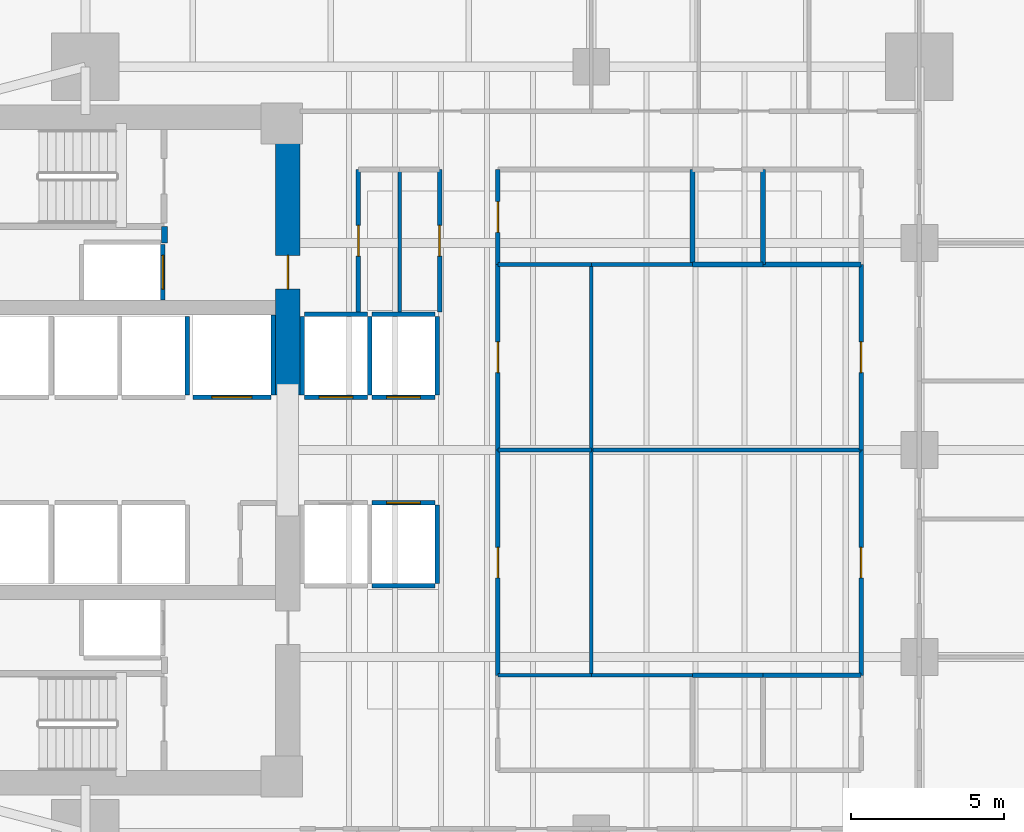
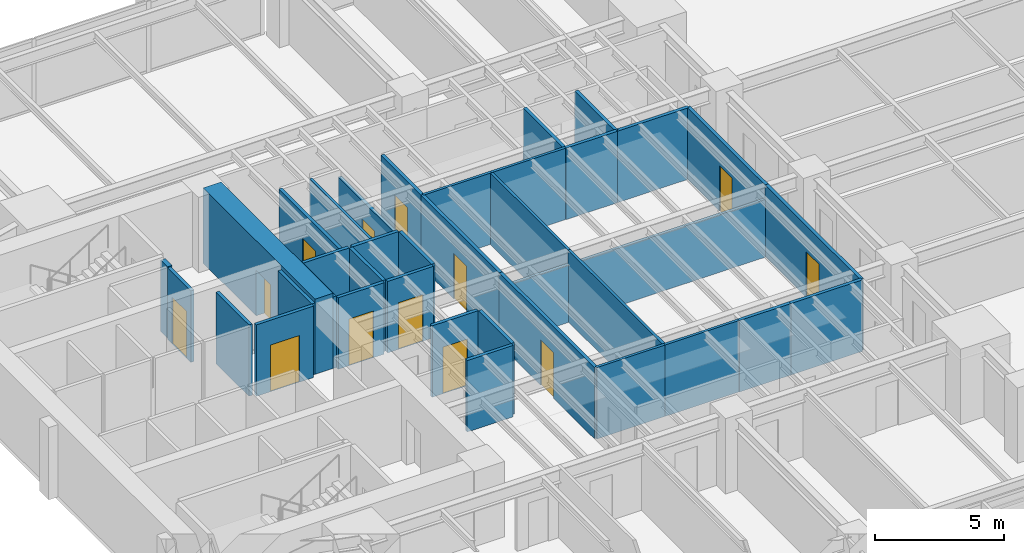
# One storey, part 9 of 15: 38 walls, 13 doors, 13 openings.
"""IFC4 building model written with IfcOpenShell, lengths in metres."""

from ifc_helpers import new_model, si_unit, direction, frame, frame_2d, origin, place, context, subcontext, project, spatial, rectangle, extrude, material, layer, layer_set, type_object, element, fill, save


model = new_model("IFC4")

# Units and contexts
model_context = context("Model", 3, precision=1e-05, world=origin(), true_north=direction((0.0, 1.0)))
body_context = subcontext(model_context, "Body", "Model", "MODEL_VIEW")
ifc_project = project(units=[si_unit("LENGTHUNIT", "METRE"), si_unit("AREAUNIT", "SQUARE_METRE"), si_unit("VOLUMEUNIT", "CUBIC_METRE"), si_unit("PLANEANGLEUNIT", "RADIAN"), si_unit("MASSUNIT", "GRAM", prefix="KILO")], contexts=[model_context])

# Site, building, storey
site_placement = place(None, origin())
site = spatial("IfcSite", under=ifc_project, at=site_placement, CompositionType="ELEMENT")
building_placement = place(site_placement, origin())
building = spatial("IfcBuilding", under=site, at=building_placement, Name="Kinhvarn Gate Tower", CompositionType="ELEMENT")
storey_placement = place(building_placement, frame((0.0, 0.0, 78.85009765625)))
storey = spatial("IfcBuildingStorey", under=building, at=storey_placement, Name="L20", CompositionType="ELEMENT", Elevation=78.85009765625)

# Wall, opening, door
ifc_material_1 = material(Name="Concrete C70/85", Category="concrete")
ifc_layer_1 = layer(ifc_material_1, 0.800048828125)
ifc_layer_set_1 = layer_set([ifc_layer_1], Name="Concrete C70/85")
wall_type_1 = type_object("IfcWallType", Name="WL-CORE-800", PredefinedType="SHEAR", material=ifc_layer_set_1)
wall_1_placement = place(storey_placement, frame((17.60009765625, 27.050048828125, 0.0), z_axis=(0.0, 0.0, 1.0), x_axis=(0.0, 1.0, 0.0)))
wall_1 = element("IfcWall", 1, at=wall_1_placement, inside=storey, type_object=wall_type_1, Name="Core East-North Shear Pier L20 800 mm", PredefinedType="SHEAR", context=body_context, shape_type="SweptSolid", body=[
    extrude(rectangle(XDim=8.64990234375, YDim=0.800048828125, at=frame_2d((4.324951171875, 0.0))), origin(), (0.0, 0.0, 1.0), 3.5498046875),
])
opening_1_placement = place(wall_1_placement, frame((3.449951171875, 0.0, 0.0)))
opening_1 = element("IfcOpeningElement", 2, at=opening_1_placement, cuts=wall_1, Name="Opening FD-02", PredefinedType="OPENING", context=body_context, shape_type="SweptSolid", body=[
    extrude(rectangle(XDim=1.10009765625, YDim=2.14990234375, at=frame_2d((0.550048828125, 1.074951171875))), frame((0.0, 0.41015625, 0.0), z_axis=(0.0, -1.0, 0.0), x_axis=(1.0, 0.0, 0.0)), (0.0, 0.0, 1.0), 0.820068359375),
])
ifc_material_2 = material(Name="Anodised aluminium AW-6063", Category="aluminium")
door_type_1 = type_object("IfcDoorType", Name="DR-FD-1100", OperationType="NOTDEFINED", PredefinedType="DOOR", material=ifc_material_2)
door_1_placement = place(opening_1_placement, origin())
door_1 = element("IfcDoor", 3, at=door_1_placement, inside=storey, type_object=door_type_1, Name="Firefighting Lobby Core Door (L20)", OperationType="SINGLE_SWING_LEFT", OverallHeight=2.14990234375, OverallWidth=1.10009765625, PredefinedType="DOOR", context=body_context, shape_type="SweptSolid", body=[
    extrude(rectangle(XDim=1.10009765625, YDim=2.14990234375, at=frame_2d((0.550048828125, 1.074951171875))), frame((0.0, 0.02490234375, 0.0), z_axis=(0.0, -1.0, 0.0), x_axis=(1.0, 0.0, 0.0)), (0.0, 0.0, 1.0), 0.050048828125),
])
fill(opening_1, door_1)

# Walls
ifc_material_3 = material(Name="Gypsum acoustic partition board")
ifc_layer_2 = layer(ifc_material_3, 0.14990234375)
ifc_layer_set_2 = layer_set([ifc_layer_2], Name="Gypsum acoustic partition board")
wall_type_2 = type_object("IfcWallType", Name="WL-PLM-150", PredefinedType="PLUMBINGWALL", material=ifc_layer_set_2)
wall_2_placement = place(storey_placement, frame((33.10009765625, 17.89990234375, 0.0), z_axis=(0.0, 0.0, 1.0), x_axis=(1.0, 0.0, 0.0)))
element("IfcWall", 4, at=wall_2_placement, inside=storey, type_object=wall_type_2, Name="Interior Partition PLW-150 (L20)", PredefinedType="PLUMBINGWALL", context=body_context, shape_type="SweptSolid", body=[
    extrude(rectangle(XDim=3.199951171875, YDim=0.14990234375, at=frame_2d((1.60009765625, 0.0))), origin(), (0.0, 0.0, 1.0), 3.369873046875),
])
wall_3_placement = place(storey_placement, frame((33.10009765625, 31.300048828125, 0.0), z_axis=(0.0, 0.0, 1.0), x_axis=(0.0, 1.0, 0.0)))
element("IfcWall", 5, at=wall_3_placement, inside=storey, type_object=wall_type_2, Name="Interior Partition PLW-150 (L20)", PredefinedType="PLUMBINGWALL", context=body_context, shape_type="SweptSolid", body=[
    extrude(rectangle(XDim=3.099853515625, YDim=0.14990234375, at=frame_2d((1.5498046875, 0.0))), origin(), (0.0, 0.0, 1.0), 3.369873046875),
])
wall_4_placement = place(storey_placement, frame((33.10009765625, 31.300048828125, 0.0), z_axis=(0.0, 0.0, 1.0), x_axis=(1.0, 0.0, 0.0)))
element("IfcWall", 6, at=wall_4_placement, inside=storey, type_object=wall_type_2, Name="Interior Partition PLW-150 (L20)", PredefinedType="PLUMBINGWALL", context=body_context, shape_type="SweptSolid", body=[
    extrude(rectangle(XDim=3.199951171875, YDim=0.14990234375, at=frame_2d((1.60009765625, 0.0))), origin(), (0.0, 0.0, 1.0), 3.369873046875),
])
wall_5_placement = place(storey_placement, frame((30.800048828125, 17.89990234375, 0.0), z_axis=(0.0, 0.0, 1.0), x_axis=(1.0, 0.0, 0.0)))
element("IfcWall", 7, at=wall_5_placement, inside=storey, type_object=wall_type_2, Name="Interior Partition PLW-150 (L20)", PredefinedType="PLUMBINGWALL", context=body_context, shape_type="SweptSolid", body=[
    extrude(rectangle(XDim=2.300048828125, YDim=0.14990234375, at=frame_2d((1.14990234375, 0.0))), origin(), (0.0, 0.0, 1.0), 3.369873046875),
])
wall_6_placement = place(storey_placement, frame((30.800048828125, 31.300048828125, 0.0), z_axis=(0.0, 0.0, 1.0), x_axis=(0.0, 1.0, 0.0)))
element("IfcWall", 8, at=wall_6_placement, inside=storey, type_object=wall_type_2, Name="Interior Partition PLW-150 (L20)", PredefinedType="PLUMBINGWALL", context=body_context, shape_type="SweptSolid", body=[
    extrude(rectangle(XDim=3.099853515625, YDim=0.14990234375, at=frame_2d((1.5498046875, 0.0))), origin(), (0.0, 0.0, 1.0), 3.369873046875),
])
wall_7_placement = place(storey_placement, frame((30.800048828125, 31.300048828125, 0.0), z_axis=(0.0, 0.0, 1.0), x_axis=(1.0, 0.0, 0.0)))
element("IfcWall", 9, at=wall_7_placement, inside=storey, type_object=wall_type_2, Name="Interior Partition PLW-150 (L20)", PredefinedType="PLUMBINGWALL", context=body_context, shape_type="SweptSolid", body=[
    extrude(rectangle(XDim=2.300048828125, YDim=0.14990234375, at=frame_2d((1.14990234375, 0.0))), origin(), (0.0, 0.0, 1.0), 3.369873046875),
])
ifc_layer_3 = layer(ifc_material_3, 0.1201171875)
ifc_layer_set_3 = layer_set([ifc_layer_3], Name="Gypsum acoustic partition board")
wall_type_3 = type_object("IfcWallType", Name="WL-PRT-120", PredefinedType="PARTITIONING", material=ifc_layer_set_3)
wall_8_placement = place(storey_placement, frame((21.25, 29.75, 0.0), z_axis=(0.0, 0.0, 1.0), x_axis=(0.0, 1.0, 0.0)))
element("IfcWall", 10, at=wall_8_placement, inside=storey, type_object=wall_type_3, Name="Interior Partition PW-120 (L20)", PredefinedType="PARTITIONING", context=body_context, shape_type="SweptSolid", body=[
    extrude(rectangle(XDim=4.64990234375, YDim=0.1201171875, at=frame_2d((2.324951171875, 0.0))), origin(), (0.0, 0.0, 1.0), 3.369873046875),
])
wall_9_placement = place(storey_placement, frame((24.449951171875, 17.89990234375, 0.0), z_axis=(0.0, 0.0, 1.0), x_axis=(1.0, 0.0, 0.0)))
element("IfcWall", 11, at=wall_9_placement, inside=storey, type_object=wall_type_3, Name="Interior Partition PW-120 (L20)", PredefinedType="PARTITIONING", context=body_context, shape_type="SweptSolid", body=[
    extrude(rectangle(XDim=3.050048828125, YDim=0.1201171875, at=frame_2d((1.52490234375, 0.0))), origin(), (0.0, 0.0, 1.0), 3.369873046875),
])
wall_10_placement = place(storey_placement, frame((27.5, 17.89990234375, 0.0), z_axis=(0.0, 0.0, 1.0), x_axis=(1.0, 0.0, 0.0)))
element("IfcWall", 12, at=wall_10_placement, inside=storey, type_object=wall_type_3, Name="Interior Partition PW-120 (L20)", PredefinedType="PARTITIONING", context=body_context, shape_type="SweptSolid", body=[
    extrude(rectangle(XDim=3.300048828125, YDim=0.1201171875, at=frame_2d((1.64990234375, 0.0))), origin(), (0.0, 0.0, 1.0), 3.369873046875),
])
wall_11_placement = place(storey_placement, frame((24.449951171875, 31.300048828125, 0.0), z_axis=(0.0, 0.0, 1.0), x_axis=(1.0, 0.0, 0.0)))
element("IfcWall", 13, at=wall_11_placement, inside=storey, type_object=wall_type_3, Name="Interior Partition PW-120 (L20)", PredefinedType="PARTITIONING", context=body_context, shape_type="SweptSolid", body=[
    extrude(rectangle(XDim=3.050048828125, YDim=0.1201171875, at=frame_2d((1.52490234375, 0.0))), origin(), (0.0, 0.0, 1.0), 3.369873046875),
])
wall_12_placement = place(storey_placement, frame((27.5, 31.300048828125, 0.0), z_axis=(0.0, 0.0, 1.0), x_axis=(1.0, 0.0, 0.0)))
element("IfcWall", 14, at=wall_12_placement, inside=storey, type_object=wall_type_3, Name="Interior Partition PW-120 (L20)", PredefinedType="PARTITIONING", context=body_context, shape_type="SweptSolid", body=[
    extrude(rectangle(XDim=3.300048828125, YDim=0.1201171875, at=frame_2d((1.64990234375, 0.0))), origin(), (0.0, 0.0, 1.0), 3.369873046875),
])
wall_13_placement = place(storey_placement, frame((27.5, 17.89990234375, 0.0), z_axis=(0.0, 0.0, 1.0), x_axis=(0.0, 1.0, 0.0)))
element("IfcWall", 15, at=wall_13_placement, inside=storey, type_object=wall_type_3, Name="Interior Partition PW-120 (L20)", PredefinedType="PARTITIONING", context=body_context, shape_type="SweptSolid", body=[
    extrude(rectangle(XDim=7.35009765625, YDim=0.1201171875, at=frame_2d((3.675048828125, 0.0))), origin(), (0.0, 0.0, 1.0), 3.369873046875),
])
wall_14_placement = place(storey_placement, frame((24.449951171875, 25.25, 0.0), z_axis=(0.0, 0.0, 1.0), x_axis=(1.0, 0.0, 0.0)))
element("IfcWall", 16, at=wall_14_placement, inside=storey, type_object=wall_type_3, Name="Interior Partition PW-120 (L20)", PredefinedType="PARTITIONING", context=body_context, shape_type="SweptSolid", body=[
    extrude(rectangle(XDim=3.050048828125, YDim=0.1201171875, at=frame_2d((1.52490234375, 0.0))), origin(), (0.0, 0.0, 1.0), 2.719970703125),
])
wall_15_placement = place(storey_placement, frame((27.5, 25.25, 0.0), z_axis=(0.0, 0.0, 1.0), x_axis=(1.0, 0.0, 0.0)))
element("IfcWall", 17, at=wall_15_placement, inside=storey, type_object=wall_type_3, Name="Interior Partition PW-120 (L20)", PredefinedType="PARTITIONING", context=body_context, shape_type="SweptSolid", body=[
    extrude(rectangle(XDim=8.800048828125, YDim=0.1201171875, at=frame_2d((4.39990234375, 0.0))), origin(), (0.0, 0.0, 1.0), 2.719970703125),
])
wall_16_placement = place(storey_placement, frame((27.5, 25.25, 0.0), z_axis=(0.0, 0.0, 1.0), x_axis=(0.0, 1.0, 0.0)))
element("IfcWall", 18, at=wall_16_placement, inside=storey, type_object=wall_type_3, Name="Interior Partition PW-120 (L20)", PredefinedType="PARTITIONING", context=body_context, shape_type="SweptSolid", body=[
    extrude(rectangle(XDim=6.050048828125, YDim=0.1201171875, at=frame_2d((3.02490234375, 0.0))), origin(), (0.0, 0.0, 1.0), 3.369873046875),
])

# Wall, opening, door
ifc_layer_4 = layer(ifc_material_3, 0.14990234375)
ifc_layer_set_4 = layer_set([ifc_layer_4], Name="Gypsum acoustic partition board")
wall_type_4 = type_object("IfcWallType", Name="WL-PRT-150F", PredefinedType="PARTITIONING", material=ifc_layer_set_4)
wall_17_placement = place(storey_placement, frame((22.550048828125, 29.75, 0.0), z_axis=(0.0, 0.0, 1.0), x_axis=(0.0, 1.0, 0.0)))
wall_17 = element("IfcWall", 19, at=wall_17_placement, inside=storey, type_object=wall_type_4, Name="Interior Partition PW-150F (L20)", PredefinedType="PARTITIONING", context=body_context, shape_type="SweptSolid", body=[
    extrude(rectangle(XDim=4.64990234375, YDim=0.14990234375, at=frame_2d((2.324951171875, 0.0))), origin(), (0.0, 0.0, 1.0), 3.010009765625),
])
opening_2_placement = place(wall_17_placement, frame((1.824951171875, 0.0, 0.0)))
opening_2 = element("IfcOpeningElement", 20, at=opening_2_placement, cuts=wall_17, Name="Opening ID-02", PredefinedType="OPENING", context=body_context, shape_type="SweptSolid", body=[
    extrude(rectangle(XDim=1.0, YDim=2.14990234375, at=frame_2d((0.5, 1.074951171875))), frame((0.0, 0.0849609375, 0.0), z_axis=(0.0, -1.0, 0.0), x_axis=(1.0, 0.0, 0.0)), (0.0, 0.0, 1.0), 0.169921875),
])
door_type_2 = type_object("IfcDoorType", Name="DR-INT-1000", OperationType="NOTDEFINED", PredefinedType="DOOR", material=ifc_material_2)
door_2_placement = place(opening_2_placement, origin())
door_2 = element("IfcDoor", 21, at=door_2_placement, inside=storey, type_object=door_type_2, Name="Standard Office & Meeting Room Door 1000x2150 mm (L20)", OperationType="SINGLE_SWING_LEFT", OverallHeight=2.14990234375, OverallWidth=1.0, PredefinedType="DOOR", context=body_context, shape_type="SweptSolid", body=[
    extrude(rectangle(XDim=1.0, YDim=2.14990234375, at=frame_2d((0.5, 1.074951171875))), frame((0.0, 0.02490234375, 0.0), z_axis=(0.0, -1.0, 0.0), x_axis=(1.0, 0.0, 0.0)), (0.0, 0.0, 1.0), 0.050048828125),
])
fill(opening_2, door_2)

wall_18_placement = place(storey_placement, frame((24.449951171875, 31.300048828125, 0.0), z_axis=(0.0, 0.0, 1.0), x_axis=(0.0, 1.0, 0.0)))
wall_18 = element("IfcWall", 22, at=wall_18_placement, inside=storey, type_object=wall_type_4, Name="Interior Partition PW-150F (L20)", PredefinedType="PARTITIONING", context=body_context, shape_type="SweptSolid", body=[
    extrude(rectangle(XDim=3.099853515625, YDim=0.14990234375, at=frame_2d((1.5498046875, 0.0))), origin(), (0.0, 0.0, 1.0), 3.369873046875),
])
opening_3_placement = place(wall_18_placement, frame((1.050048828125, 0.0, 0.0)))
opening_3 = element("IfcOpeningElement", 23, at=opening_3_placement, cuts=wall_18, Name="Opening ID-02", PredefinedType="OPENING", context=body_context, shape_type="SweptSolid", body=[
    extrude(rectangle(XDim=1.0, YDim=2.14990234375, at=frame_2d((0.5, 1.074951171875))), frame((0.0, 0.0849609375, 0.0), z_axis=(0.0, -1.0, 0.0), x_axis=(1.0, 0.0, 0.0)), (0.0, 0.0, 1.0), 0.169921875),
])
door_3_placement = place(opening_3_placement, origin())
door_3 = element("IfcDoor", 24, at=door_3_placement, inside=storey, type_object=door_type_2, Name="Standard Office & Meeting Room Door 1000x2150 mm (L20)", OperationType="SINGLE_SWING_LEFT", OverallHeight=2.14990234375, OverallWidth=1.0, PredefinedType="DOOR", context=body_context, shape_type="SweptSolid", body=[
    extrude(rectangle(XDim=1.0, YDim=2.14990234375, at=frame_2d((0.5, 1.074951171875))), frame((0.0, 0.02490234375, 0.0), z_axis=(0.0, -1.0, 0.0), x_axis=(1.0, 0.0, 0.0)), (0.0, 0.0, 1.0), 0.050048828125),
])
fill(opening_3, door_3)

wall_19_placement = place(storey_placement, frame((24.449951171875, 17.89990234375, 0.0), z_axis=(0.0, 0.0, 1.0), x_axis=(0.0, 1.0, 0.0)))
wall_19 = element("IfcWall", 25, at=wall_19_placement, inside=storey, type_object=wall_type_4, Name="Interior Partition PW-150F (L20)", PredefinedType="PARTITIONING", context=body_context, shape_type="SweptSolid", body=[
    extrude(rectangle(XDim=7.35009765625, YDim=0.14990234375, at=frame_2d((3.675048828125, 0.0))), origin(), (0.0, 0.0, 1.0), 3.369873046875),
])
opening_4_placement = place(wall_19_placement, frame((3.175048828125, 0.0, 0.0)))
opening_4 = element("IfcOpeningElement", 26, at=opening_4_placement, cuts=wall_19, Name="Opening ID-02", PredefinedType="OPENING", context=body_context, shape_type="SweptSolid", body=[
    extrude(rectangle(XDim=1.0, YDim=2.14990234375, at=frame_2d((0.5, 1.074951171875))), frame((0.0, 0.0849609375, 0.0), z_axis=(0.0, -1.0, 0.0), x_axis=(1.0, 0.0, 0.0)), (0.0, 0.0, 1.0), 0.169921875),
])
door_4_placement = place(opening_4_placement, origin())
door_4 = element("IfcDoor", 27, at=door_4_placement, inside=storey, type_object=door_type_2, Name="Standard Office & Meeting Room Door 1000x2150 mm (L20)", OperationType="SINGLE_SWING_RIGHT", OverallHeight=2.14990234375, OverallWidth=1.0, PredefinedType="DOOR", context=body_context, shape_type="SweptSolid", body=[
    extrude(rectangle(XDim=1.0, YDim=2.14990234375, at=frame_2d((0.5, 1.074951171875))), frame((0.0, 0.02490234375, 0.0), z_axis=(0.0, -1.0, 0.0), x_axis=(1.0, 0.0, 0.0)), (0.0, 0.0, 1.0), 0.050048828125),
])
fill(opening_4, door_4)

wall_20_placement = place(storey_placement, frame((24.449951171875, 25.25, 0.0), z_axis=(0.0, 0.0, 1.0), x_axis=(0.0, 1.0, 0.0)))
wall_20 = element("IfcWall", 28, at=wall_20_placement, inside=storey, type_object=wall_type_4, Name="Interior Partition PW-150F (L20)", PredefinedType="PARTITIONING", context=body_context, shape_type="SweptSolid", body=[
    extrude(rectangle(XDim=6.050048828125, YDim=0.14990234375, at=frame_2d((3.02490234375, 0.0))), origin(), (0.0, 0.0, 1.0), 3.369873046875),
])
opening_5_placement = place(wall_20_placement, frame((2.52490234375, 0.0, 0.0)))
opening_5 = element("IfcOpeningElement", 29, at=opening_5_placement, cuts=wall_20, Name="Opening ID-02", PredefinedType="OPENING", context=body_context, shape_type="SweptSolid", body=[
    extrude(rectangle(XDim=1.0, YDim=2.14990234375, at=frame_2d((0.5, 1.074951171875))), frame((0.0, 0.0849609375, 0.0), z_axis=(0.0, -1.0, 0.0), x_axis=(1.0, 0.0, 0.0)), (0.0, 0.0, 1.0), 0.169921875),
])
door_5_placement = place(opening_5_placement, origin())
door_5 = element("IfcDoor", 30, at=door_5_placement, inside=storey, type_object=door_type_2, Name="Standard Office & Meeting Room Door 1000x2150 mm (L20)", OperationType="SINGLE_SWING_LEFT", OverallHeight=2.14990234375, OverallWidth=1.0, PredefinedType="DOOR", context=body_context, shape_type="SweptSolid", body=[
    extrude(rectangle(XDim=1.0, YDim=2.14990234375, at=frame_2d((0.5, 1.074951171875))), frame((0.0, 0.02490234375, 0.0), z_axis=(0.0, -1.0, 0.0), x_axis=(1.0, 0.0, 0.0)), (0.0, 0.0, 1.0), 0.050048828125),
])
fill(opening_5, door_5)

wall_21_placement = place(storey_placement, frame((19.89990234375, 29.75, 0.0), z_axis=(0.0, 0.0, 1.0), x_axis=(0.0, 1.0, 0.0)))
wall_21 = element("IfcWall", 31, at=wall_21_placement, inside=storey, type_object=wall_type_4, Name="Interior Partition PW-150F (L20)", PredefinedType="PARTITIONING", context=body_context, shape_type="SweptSolid", body=[
    extrude(rectangle(XDim=4.64990234375, YDim=0.14990234375, at=frame_2d((2.324951171875, 0.0))), origin(), (0.0, 0.0, 1.0), 3.369873046875),
])
opening_6_placement = place(wall_21_placement, frame((1.824951171875, 0.0, 0.0)))
opening_6 = element("IfcOpeningElement", 32, at=opening_6_placement, cuts=wall_21, Name="Opening ID-02", PredefinedType="OPENING", context=body_context, shape_type="SweptSolid", body=[
    extrude(rectangle(XDim=1.0, YDim=2.14990234375, at=frame_2d((0.5, 1.074951171875))), frame((0.0, 0.0849609375, 0.0), z_axis=(0.0, -1.0, 0.0), x_axis=(1.0, 0.0, 0.0)), (0.0, 0.0, 1.0), 0.169921875),
])
door_6_placement = place(opening_6_placement, origin())
door_6 = element("IfcDoor", 33, at=door_6_placement, inside=storey, type_object=door_type_2, Name="Standard Office & Meeting Room Door 1000x2150 mm (L20)", OperationType="SINGLE_SWING_RIGHT", OverallHeight=2.14990234375, OverallWidth=1.0, PredefinedType="DOOR", context=body_context, shape_type="SweptSolid", body=[
    extrude(rectangle(XDim=1.0, YDim=2.14990234375, at=frame_2d((0.5, 1.074951171875))), frame((0.0, 0.02490234375, 0.0), z_axis=(0.0, -1.0, 0.0), x_axis=(1.0, 0.0, 0.0)), (0.0, 0.0, 1.0), 0.050048828125),
])
fill(opening_6, door_6)

wall_22_placement = place(storey_placement, frame((36.300048828125, 17.89990234375, 0.0), z_axis=(0.0, 0.0, 1.0), x_axis=(0.0, 1.0, 0.0)))
wall_22 = element("IfcWall", 34, at=wall_22_placement, inside=storey, type_object=wall_type_4, Name="Interior Partition PW-150F (L20)", PredefinedType="PARTITIONING", context=body_context, shape_type="SweptSolid", body=[
    extrude(rectangle(XDim=7.35009765625, YDim=0.14990234375, at=frame_2d((3.675048828125, 0.0))), origin(), (0.0, 0.0, 1.0), 3.369873046875),
])
opening_7_placement = place(wall_22_placement, frame((3.175048828125, 0.0, 0.0)))
opening_7 = element("IfcOpeningElement", 35, at=opening_7_placement, cuts=wall_22, Name="Opening ID-02", PredefinedType="OPENING", context=body_context, shape_type="SweptSolid", body=[
    extrude(rectangle(XDim=1.0, YDim=2.14990234375, at=frame_2d((0.5, 1.074951171875))), frame((0.0, 0.0849609375, 0.0), z_axis=(0.0, -1.0, 0.0), x_axis=(1.0, 0.0, 0.0)), (0.0, 0.0, 1.0), 0.169921875),
])
door_7_placement = place(opening_7_placement, origin())
door_7 = element("IfcDoor", 36, at=door_7_placement, inside=storey, type_object=door_type_2, Name="Standard Office & Meeting Room Door 1000x2150 mm (L20)", OperationType="SINGLE_SWING_RIGHT", OverallHeight=2.14990234375, OverallWidth=1.0, PredefinedType="DOOR", context=body_context, shape_type="SweptSolid", body=[
    extrude(rectangle(XDim=1.0, YDim=2.14990234375, at=frame_2d((0.5, 1.074951171875))), frame((0.0, 0.02490234375, 0.0), z_axis=(0.0, -1.0, 0.0), x_axis=(1.0, 0.0, 0.0)), (0.0, 0.0, 1.0), 0.050048828125),
])
fill(opening_7, door_7)

wall_23_placement = place(storey_placement, frame((36.300048828125, 25.25, 0.0), z_axis=(0.0, 0.0, 1.0), x_axis=(0.0, 1.0, 0.0)))
wall_23 = element("IfcWall", 37, at=wall_23_placement, inside=storey, type_object=wall_type_4, Name="Interior Partition PW-150F (L20)", PredefinedType="PARTITIONING", context=body_context, shape_type="SweptSolid", body=[
    extrude(rectangle(XDim=6.050048828125, YDim=0.14990234375, at=frame_2d((3.02490234375, 0.0))), origin(), (0.0, 0.0, 1.0), 3.369873046875),
])
opening_8_placement = place(wall_23_placement, frame((2.52490234375, 0.0, 0.0)))
opening_8 = element("IfcOpeningElement", 38, at=opening_8_placement, cuts=wall_23, Name="Opening ID-02", PredefinedType="OPENING", context=body_context, shape_type="SweptSolid", body=[
    extrude(rectangle(XDim=1.0, YDim=2.14990234375, at=frame_2d((0.5, 1.074951171875))), frame((0.0, 0.0849609375, 0.0), z_axis=(0.0, -1.0, 0.0), x_axis=(1.0, 0.0, 0.0)), (0.0, 0.0, 1.0), 0.169921875),
])
door_8_placement = place(opening_8_placement, origin())
door_8 = element("IfcDoor", 39, at=door_8_placement, inside=storey, type_object=door_type_2, Name="Standard Office & Meeting Room Door 1000x2150 mm (L20)", OperationType="SINGLE_SWING_LEFT", OverallHeight=2.14990234375, OverallWidth=1.0, PredefinedType="DOOR", context=body_context, shape_type="SweptSolid", body=[
    extrude(rectangle(XDim=1.0, YDim=2.14990234375, at=frame_2d((0.5, 1.074951171875))), frame((0.0, 0.02490234375, 0.0), z_axis=(0.0, -1.0, 0.0), x_axis=(1.0, 0.0, 0.0)), (0.0, 0.0, 1.0), 0.050048828125),
])
fill(opening_8, door_8)

# Walls
ifc_layer_5 = layer(ifc_material_3, 0.199951171875)
ifc_layer_set_5 = layer_set([ifc_layer_5], Name="Gypsum acoustic partition board")
wall_type_5 = type_object("IfcWallType", Name="WL-PRT-200", PredefinedType="PARTITIONING", material=ifc_layer_set_5)
wall_24_placement = place(storey_placement, frame((13.580078125, 32.0, 0.0), z_axis=(0.0, 0.0, 1.0), x_axis=(0.0, 1.0, 0.0)))
element("IfcWall", 40, at=wall_24_placement, inside=storey, type_object=wall_type_5, Name="Interior Partition PW-200 (L20)", PredefinedType="PARTITIONING", context=body_context, shape_type="SweptSolid", body=[
    extrude(rectangle(XDim=0.5400390625, YDim=0.199951171875, at=frame_2d((0.27001953125, 0.0))), origin(), (0.0, 0.0, 1.0), 3.369873046875),
])
ifc_layer_6 = layer(ifc_material_3, 0.14990234375)
ifc_layer_set_6 = layer_set([ifc_layer_6], Name="Gypsum acoustic partition board")
wall_type_6 = type_object("IfcWallType", Name="WL-SHF-150", PredefinedType="PARTITIONING", material=ifc_layer_set_6)
wall_25_placement = place(storey_placement, frame((20.35009765625, 20.824951171875, 0.0), z_axis=(0.0, 0.0, 1.0), x_axis=(1.0, 0.0, 0.0)))
element("IfcWall", 41, at=wall_25_placement, inside=storey, type_object=wall_type_6, Name="Elevator PL-02 Hoistway Wall S (L20)", PredefinedType="PARTITIONING", context=body_context, shape_type="SweptSolid", body=[
    extrude(rectangle(XDim=2.0498046875, YDim=0.14990234375, at=frame_2d((1.02490234375, 0.0))), origin(), (0.0, 0.0, 1.0), 3.369873046875),
])

# Wall, opening, door
wall_26_placement = place(storey_placement, frame((20.35009765625, 23.52490234375, 0.0), z_axis=(0.0, 0.0, 1.0), x_axis=(1.0, 0.0, 0.0)))
wall_26 = element("IfcWall", 42, at=wall_26_placement, inside=storey, type_object=wall_type_6, Name="Elevator PL-02 Landing Wall (L20)", PredefinedType="PARTITIONING", context=body_context, shape_type="SweptSolid", body=[
    extrude(rectangle(XDim=2.0498046875, YDim=0.14990234375, at=frame_2d((1.02490234375, 0.0))), origin(), (0.0, 0.0, 1.0), 3.369873046875),
])
opening_9_placement = place(wall_26_placement, frame((0.47509765625, 0.0, 0.0)))
opening_9 = element("IfcOpeningElement", 43, at=opening_9_placement, cuts=wall_26, Name="Opening LD-01", PredefinedType="OPENING", context=body_context, shape_type="SweptSolid", body=[
    extrude(rectangle(XDim=1.10009765625, YDim=2.199951171875, at=frame_2d((0.550048828125, 1.10009765625))), frame((0.0, 0.0849609375, 0.0), z_axis=(0.0, -1.0, 0.0), x_axis=(1.0, 0.0, 0.0)), (0.0, 0.0, 1.0), 0.169921875),
])
door_type_3 = type_object("IfcDoorType", Name="DR-LND-PAS", OperationType="NOTDEFINED", PredefinedType="DOOR", material=ifc_material_2)
door_9_placement = place(opening_9_placement, origin())
door_9 = element("IfcDoor", 44, at=door_9_placement, inside=storey, type_object=door_type_3, Name="Elevator PL-02 Sliding Landing Door (L20)", OperationType="DOUBLE_DOOR_SLIDING", OverallHeight=2.199951171875, OverallWidth=1.10009765625, PredefinedType="DOOR", context=body_context, shape_type="SweptSolid", body=[
    extrude(rectangle(XDim=1.10009765625, YDim=2.199951171875, at=frame_2d((0.550048828125, 1.10009765625))), frame((0.0, 0.02490234375, 0.0), z_axis=(0.0, -1.0, 0.0), x_axis=(1.0, 0.0, 0.0)), (0.0, 0.0, 1.0), 0.050048828125),
])
fill(opening_9, door_9)

# Wall
wall_27_placement = place(storey_placement, frame((22.47509765625, 20.89990234375, 0.0), z_axis=(0.0, 0.0, 1.0), x_axis=(0.0, 1.0, 0.0)))
element("IfcWall", 45, at=wall_27_placement, inside=storey, type_object=wall_type_6, Name="Elevator PL-02 Hoistway Wall E (L20)", PredefinedType="PARTITIONING", context=body_context, shape_type="SweptSolid", body=[
    extrude(rectangle(XDim=2.550048828125, YDim=0.14990234375, at=frame_2d((1.27490234375, 0.0))), origin(), (0.0, 0.0, 1.0), 3.369873046875),
])

# Wall, opening, door
wall_28_placement = place(storey_placement, frame((18.14990234375, 26.97509765625, 0.0), z_axis=(0.0, 0.0, 1.0), x_axis=(1.0, 0.0, 0.0)))
wall_28 = element("IfcWall", 46, at=wall_28_placement, inside=storey, type_object=wall_type_6, Name="Elevator PL-03 Landing Wall (L20)", PredefinedType="PARTITIONING", context=body_context, shape_type="SweptSolid", body=[
    extrude(rectangle(XDim=2.050048828125, YDim=0.14990234375, at=frame_2d((1.02490234375, 0.0))), origin(), (0.0, 0.0, 1.0), 3.369873046875),
])
opening_10_placement = place(wall_28_placement, frame((0.47509765625, 0.0, 0.0)))
opening_10 = element("IfcOpeningElement", 47, at=opening_10_placement, cuts=wall_28, Name="Opening LD-01", PredefinedType="OPENING", context=body_context, shape_type="SweptSolid", body=[
    extrude(rectangle(XDim=1.10009765625, YDim=2.199951171875, at=frame_2d((0.550048828125, 1.10009765625))), frame((0.0, 0.0849609375, 0.0), z_axis=(0.0, -1.0, 0.0), x_axis=(1.0, 0.0, 0.0)), (0.0, 0.0, 1.0), 0.169921875),
])
door_10_placement = place(opening_10_placement, origin())
door_10 = element("IfcDoor", 48, at=door_10_placement, inside=storey, type_object=door_type_3, Name="Elevator PL-03 Sliding Landing Door (L20)", OperationType="DOUBLE_DOOR_SLIDING", OverallHeight=2.199951171875, OverallWidth=1.10009765625, PredefinedType="DOOR", context=body_context, shape_type="SweptSolid", body=[
    extrude(rectangle(XDim=1.10009765625, YDim=2.199951171875, at=frame_2d((0.550048828125, 1.10009765625))), frame((0.0, 0.02490234375, 0.0), z_axis=(0.0, -1.0, 0.0), x_axis=(1.0, 0.0, 0.0)), (0.0, 0.0, 1.0), 0.050048828125),
])
fill(opening_10, door_10)

# Walls
wall_29_placement = place(storey_placement, frame((18.14990234375, 29.675048828125, 0.0), z_axis=(0.0, 0.0, 1.0), x_axis=(1.0, 0.0, 0.0)))
element("IfcWall", 49, at=wall_29_placement, inside=storey, type_object=wall_type_6, Name="Elevator PL-03 Hoistway Wall N (L20)", PredefinedType="PARTITIONING", context=body_context, shape_type="SweptSolid", body=[
    extrude(rectangle(XDim=2.050048828125, YDim=0.14990234375, at=frame_2d((1.02490234375, 0.0))), origin(), (0.0, 0.0, 1.0), 3.369873046875),
])
for number, where, z_axis, x_axis, name in (
    (50, (18.074951171875, 27.050048828125, 0.0), (0.0, 0.0, 1.0), (0.0, 1.0, 0.0), "Elevator PL-03 Hoistway Wall W (L20)"),
    (51, (20.27490234375, 27.050048828125, 0.0), (0.0, 0.0, 1.0), (0.0, 1.0, 0.0), "Elevator PL-03 Hoistway Wall E (L20)"),
):
    element("IfcWall", number, at=place(storey_placement, frame(where, z_axis=z_axis, x_axis=x_axis)), inside=storey, type_object=wall_type_6, Name=name, PredefinedType="PARTITIONING", context=body_context, shape_type="SweptSolid", body=[
        extrude(rectangle(XDim=2.550048828125, YDim=0.14990234375, at=frame_2d((1.27490234375, 0.0))), origin(), (0.0, 0.0, 1.0), 3.369873046875),
    ])

# Wall, opening, door
wall_30_placement = place(storey_placement, frame((20.35009765625, 26.97509765625, 0.0), z_axis=(0.0, 0.0, 1.0), x_axis=(1.0, 0.0, 0.0)))
wall_30 = element("IfcWall", 52, at=wall_30_placement, inside=storey, type_object=wall_type_6, Name="Elevator PL-04 Landing Wall (L20)", PredefinedType="PARTITIONING", context=body_context, shape_type="SweptSolid", body=[
    extrude(rectangle(XDim=2.0498046875, YDim=0.14990234375, at=frame_2d((1.02490234375, 0.0))), origin(), (0.0, 0.0, 1.0), 3.369873046875),
])
opening_11_placement = place(wall_30_placement, frame((0.47509765625, 0.0, 0.0)))
opening_11 = element("IfcOpeningElement", 53, at=opening_11_placement, cuts=wall_30, Name="Opening LD-01", PredefinedType="OPENING", context=body_context, shape_type="SweptSolid", body=[
    extrude(rectangle(XDim=1.10009765625, YDim=2.199951171875, at=frame_2d((0.550048828125, 1.10009765625))), frame((0.0, 0.0849609375, 0.0), z_axis=(0.0, -1.0, 0.0), x_axis=(1.0, 0.0, 0.0)), (0.0, 0.0, 1.0), 0.169921875),
])
door_11_placement = place(opening_11_placement, origin())
door_11 = element("IfcDoor", 54, at=door_11_placement, inside=storey, type_object=door_type_3, Name="Elevator PL-04 Sliding Landing Door (L20)", OperationType="DOUBLE_DOOR_SLIDING", OverallHeight=2.199951171875, OverallWidth=1.10009765625, PredefinedType="DOOR", context=body_context, shape_type="SweptSolid", body=[
    extrude(rectangle(XDim=1.10009765625, YDim=2.199951171875, at=frame_2d((0.550048828125, 1.10009765625))), frame((0.0, 0.02490234375, 0.0), z_axis=(0.0, -1.0, 0.0), x_axis=(1.0, 0.0, 0.0)), (0.0, 0.0, 1.0), 0.050048828125),
])
fill(opening_11, door_11)

# Walls
wall_31_placement = place(storey_placement, frame((20.35009765625, 29.675048828125, 0.0), z_axis=(0.0, 0.0, 1.0), x_axis=(1.0, 0.0, 0.0)))
element("IfcWall", 55, at=wall_31_placement, inside=storey, type_object=wall_type_6, Name="Elevator PL-04 Hoistway Wall N (L20)", PredefinedType="PARTITIONING", context=body_context, shape_type="SweptSolid", body=[
    extrude(rectangle(XDim=2.0498046875, YDim=0.14990234375, at=frame_2d((1.02490234375, 0.0))), origin(), (0.0, 0.0, 1.0), 3.369873046875),
])
for number, where, z_axis, x_axis, name in (
    (56, (22.47509765625, 27.050048828125, 0.0), (0.0, 0.0, 1.0), (0.0, 1.0, 0.0), "Elevator PL-04 Hoistway Wall E (L20)"),
    (57, (14.324951171875, 27.050048828125, 0.0), (0.0, 0.0, 1.0), (0.0, 1.0, 0.0), "Elevator PH-12 Hoistway Wall E (L20)"),
):
    element("IfcWall", number, at=place(storey_placement, frame(where, z_axis=z_axis, x_axis=x_axis)), inside=storey, type_object=wall_type_6, Name=name, PredefinedType="PARTITIONING", context=body_context, shape_type="SweptSolid", body=[
        extrude(rectangle(XDim=2.550048828125, YDim=0.14990234375, at=frame_2d((1.27490234375, 0.0))), origin(), (0.0, 0.0, 1.0), 3.369873046875),
    ])

# Wall, opening, door
wall_32_placement = place(storey_placement, frame((14.5, 26.97509765625, 0.0), z_axis=(0.0, 0.0, 1.0), x_axis=(1.0, 0.0, 0.0)))
wall_32 = element("IfcWall", 58, at=wall_32_placement, inside=storey, type_object=wall_type_6, Name="Elevator SV-01 Landing Wall (L20)", PredefinedType="PARTITIONING", context=body_context, shape_type="SweptSolid", body=[
    extrude(rectangle(XDim=2.550048828125, YDim=0.14990234375, at=frame_2d((1.27490234375, 0.0))), origin(), (0.0, 0.0, 1.0), 3.369873046875),
])
opening_12_placement = place(wall_32_placement, frame((0.625, 0.0, 0.0)))
opening_12 = element("IfcOpeningElement", 59, at=opening_12_placement, cuts=wall_32, Name="Opening LD-02", PredefinedType="OPENING", context=body_context, shape_type="SweptSolid", body=[
    extrude(rectangle(XDim=1.300048828125, YDim=2.199951171875, at=frame_2d((0.64990234375, 1.10009765625))), frame((0.0, 0.0849609375, 0.0), z_axis=(0.0, -1.0, 0.0), x_axis=(1.0, 0.0, 0.0)), (0.0, 0.0, 1.0), 0.169921875),
])
door_type_4 = type_object("IfcDoorType", Name="DR-LND-SRV", OperationType="NOTDEFINED", PredefinedType="DOOR", material=ifc_material_2)
door_12_placement = place(opening_12_placement, origin())
door_12 = element("IfcDoor", 60, at=door_12_placement, inside=storey, type_object=door_type_4, Name="Elevator SV-01 Sliding Landing Door (L20)", OperationType="DOUBLE_DOOR_SLIDING", OverallHeight=2.199951171875, OverallWidth=1.300048828125, PredefinedType="DOOR", context=body_context, shape_type="SweptSolid", body=[
    extrude(rectangle(XDim=1.300048828125, YDim=2.199951171875, at=frame_2d((0.64990234375, 1.10009765625))), frame((0.0, 0.02490234375, 0.0), z_axis=(0.0, -1.0, 0.0), x_axis=(1.0, 0.0, 0.0)), (0.0, 0.0, 1.0), 0.050048828125),
])
fill(opening_12, door_12)

# Wall
wall_33_placement = place(storey_placement, frame((17.125, 27.050048828125, 0.0), z_axis=(0.0, 0.0, 1.0), x_axis=(0.0, 1.0, 0.0)))
element("IfcWall", 61, at=wall_33_placement, inside=storey, type_object=wall_type_6, Name="Elevator SV-01 Hoistway Wall E (L20)", PredefinedType="PARTITIONING", context=body_context, shape_type="SweptSolid", body=[
    extrude(rectangle(XDim=2.599853515625, YDim=0.14990234375, at=frame_2d((1.2998046875, 0.0))), origin(), (0.0, 0.0, 1.0), 3.369873046875),
])

# Wall, opening, door
wall_34_placement = place(storey_placement, frame((13.52490234375, 30.14990234375, 0.0), z_axis=(0.0, 0.0, 1.0), x_axis=(0.0, 1.0, 0.0)))
wall_34 = element("IfcWall", 62, at=wall_34_placement, inside=storey, type_object=wall_type_6, Name="Elevator FF2 Landing Wall (L20)", PredefinedType="PARTITIONING", context=body_context, shape_type="SweptSolid", body=[
    extrude(rectangle(XDim=1.800048828125, YDim=0.14990234375, at=frame_2d((0.89990234375, 0.0))), origin(), (0.0, 0.0, 1.0), 3.369873046875),
])
opening_13_placement = place(wall_34_placement, frame((0.35009765625, 0.0, 0.0)))
opening_13 = element("IfcOpeningElement", 63, at=opening_13_placement, cuts=wall_34, Name="Opening LD-03", PredefinedType="OPENING", context=body_context, shape_type="SweptSolid", body=[
    extrude(rectangle(XDim=1.10009765625, YDim=2.199951171875, at=frame_2d((0.550048828125, 1.10009765625))), frame((0.0, 0.0849609375, 0.0), z_axis=(0.0, -1.0, 0.0), x_axis=(1.0, 0.0, 0.0)), (0.0, 0.0, 1.0), 0.169921875),
])
door_type_5 = type_object("IfcDoorType", Name="DR-LND-FF", OperationType="NOTDEFINED", PredefinedType="DOOR", material=ifc_material_2)
door_13_placement = place(opening_13_placement, origin())
door_13 = element("IfcDoor", 64, at=door_13_placement, inside=storey, type_object=door_type_5, Name="Elevator FF2 Sliding Landing Door (L20)", OperationType="DOUBLE_DOOR_SLIDING", OverallHeight=2.199951171875, OverallWidth=1.10009765625, PredefinedType="DOOR", context=body_context, shape_type="SweptSolid", body=[
    extrude(rectangle(XDim=1.10009765625, YDim=2.199951171875, at=frame_2d((0.550048828125, 1.10009765625))), frame((0.0, 0.02490234375, 0.0), z_axis=(0.0, -1.0, 0.0), x_axis=(1.0, 0.0, 0.0)), (0.0, 0.0, 1.0), 0.050048828125),
])
fill(opening_13, door_13)

save(model, "model.ifc")
